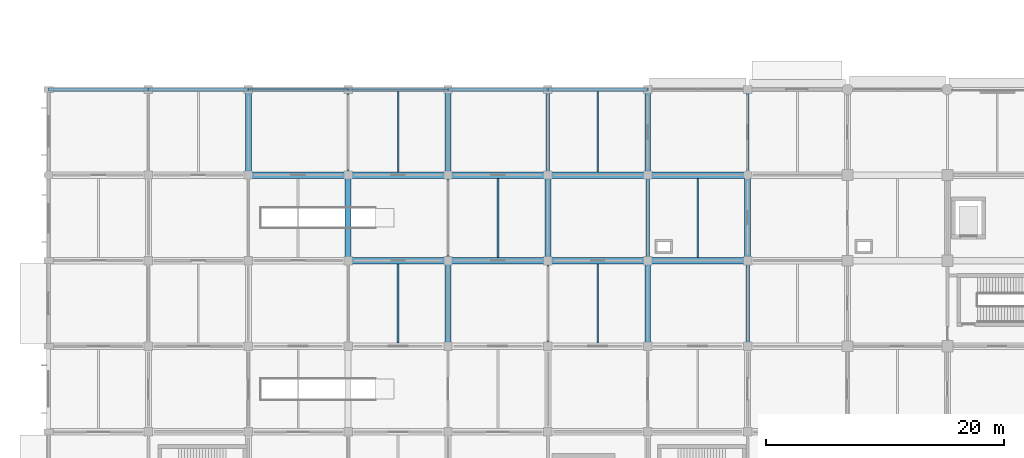
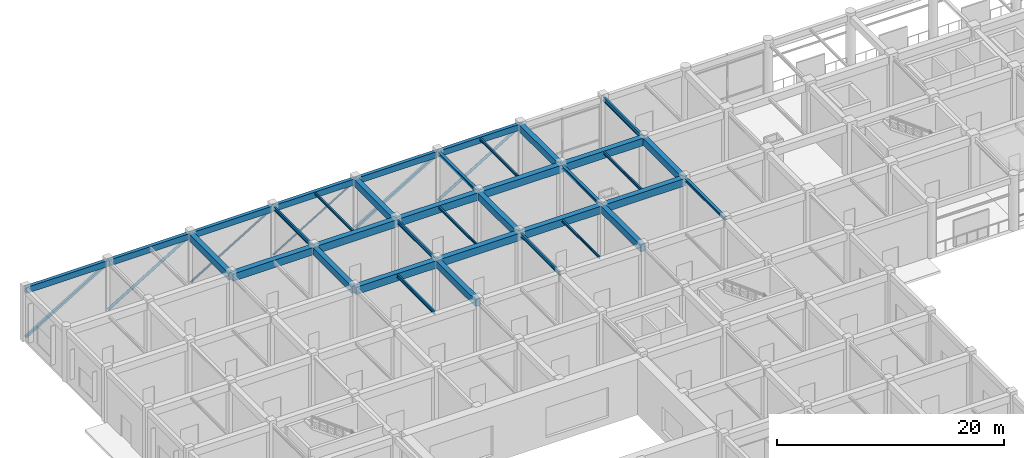
# One storey, part 5 of 39: 36 beams, 6 members.
"""IFC4 building model written with IfcOpenShell, lengths in metres."""

from ifc_helpers import new_model, si_unit, derived_unit, direction, frame, origin, origin_2d, place, context, subcontext, project, spatial, rectangle, hollow_rectangle, hollow_circle, i_section, extrude, material, material_profile, profile_set, type_object, element, save


model = new_model("IFC4")

# Units and contexts
model_context = context("Model", 3, precision=1e-05, world=origin(), true_north=direction((0.0, 1.0)))
body_context = subcontext(model_context, "Body", "Model", "MODEL_VIEW")
ifc_project = project(units=[si_unit("LENGTHUNIT", "METRE"), si_unit("AREAUNIT", "SQUARE_METRE"), si_unit("VOLUMEUNIT", "CUBIC_METRE"), si_unit("PLANEANGLEUNIT", "RADIAN"), si_unit("MASSUNIT", "GRAM", prefix="KILO"), derived_unit("THERMALTRANSMITTANCEUNIT", [(si_unit("MASSUNIT", "GRAM", prefix="KILO"), 1), (si_unit("TIMEUNIT", "SECOND"), -3), (si_unit("THERMODYNAMICTEMPERATUREUNIT", "KELVIN"), -1)])], contexts=[model_context])

# Site, building, storey
site_placement = place(None, origin())
site = spatial("IfcSite", under=ifc_project, at=site_placement, CompositionType="ELEMENT")
building_placement = place(site_placement, origin())
building = spatial("IfcBuilding", under=site, at=building_placement, Name="Veldstrom Oceanarium and Marine Research Institute", CompositionType="ELEMENT")
storey_placement = place(building_placement, origin())
storey = spatial("IfcBuildingStorey", under=building, at=storey_placement, Name="L00", CompositionType="ELEMENT", Elevation=0.0)

# Beams
ifc_material_1 = material(Name="Concrete C40/50", Category="concrete")
ifc_material_profile_1 = material_profile(ifc_material_1, rectangle(XDim=0.550048828125, YDim=0.800048828125, at=origin_2d()), Name="RC-BM-550x800")
ifc_profile_set_1 = profile_set([ifc_material_profile_1], Name="Concrete C40/50")
beam_type_1 = type_object("IfcBeamType", Name="STR-BM-B02", PredefinedType="BEAM", material=ifc_profile_set_1)
beam_1_placement = place(storey_placement, frame((16.800048828125, 64.800048828125, 5.27001953125), z_axis=(1.0, 0.0, 0.0), x_axis=(0.0, 1.0, 0.0)))
element("IfcBeam", 1, at=beam_1_placement, inside=storey, type_object=beam_type_1, Name="Primary Beam B02 L00-0744", PredefinedType="BEAM", context=body_context, shape_type="SweptSolid", body=[
    extrude(rectangle(XDim=0.550048828125, YDim=0.800048828125, at=origin_2d()), origin(), (0.0, 0.0, 1.0), 8.39990234375),
])
for number, where, z_axis, x_axis, name in (
    (2, (25.199951171875, 57.60009765625, 5.27001953125), (1.0, 0.0, 0.0), (0.0, 1.0, 0.0), "Primary Beam B02 L00-0752"),
    (3, (25.199951171875, 64.800048828125, 5.27001953125), (1.0, 0.0, 0.0), (0.0, 1.0, 0.0), "Primary Beam B02 L00-0753"),
):
    element("IfcBeam", number, at=place(storey_placement, frame(where, z_axis=z_axis, x_axis=x_axis)), inside=storey, type_object=beam_type_1, Name=name, PredefinedType="BEAM", context=body_context, shape_type="SweptSolid", body=[
        extrude(rectangle(XDim=0.550048828125, YDim=0.800048828125, at=origin_2d()), origin(), (0.0, 0.0, 1.0), 8.400146484375),
    ])
for number, where, z_axis, x_axis, name in (
    (4, (33.60009765625, 57.60009765625, 5.27001953125), (1.0, 0.0, 0.0), (0.0, 1.0, 0.0), "Primary Beam B02 L00-0761"),
    (5, (33.60009765625, 64.800048828125, 5.27001953125), (1.0, 0.0, 0.0), (0.0, 1.0, 0.0), "Primary Beam B02 L00-0762"),
    (6, (42.0, 57.60009765625, 5.27001953125), (1.0, 0.0, 0.0), (0.0, 1.0, 0.0), "Primary Beam B02 L00-0772"),
    (7, (42.0, 64.800048828125, 5.27001953125), (1.0, 0.0, 0.0), (0.0, 1.0, 0.0), "Primary Beam B02 L00-0773"),
):
    element("IfcBeam", number, at=place(storey_placement, frame(where, z_axis=z_axis, x_axis=x_axis)), inside=storey, type_object=beam_type_1, Name=name, PredefinedType="BEAM", context=body_context, shape_type="SweptSolid", body=[
        extrude(rectangle(XDim=0.550048828125, YDim=0.800048828125, at=origin_2d()), origin(), (0.0, 0.0, 1.0), 8.39990234375),
    ])
for number, where, z_axis, x_axis, name in (
    (8, (50.39990234375, 57.60009765625, 5.27001953125), (1.0, 0.0, 0.0), (0.0, 1.0, 0.0), "Primary Beam B02 L00-0783"),
    (9, (50.39990234375, 64.800048828125, 5.27001953125), (1.0, 0.0, 0.0), (0.0, 1.0, 0.0), "Primary Beam B02 L00-0784"),
):
    element("IfcBeam", number, at=place(storey_placement, frame(where, z_axis=z_axis, x_axis=x_axis)), inside=storey, type_object=beam_type_1, Name=name, PredefinedType="BEAM", context=body_context, shape_type="SweptSolid", body=[
        extrude(rectangle(XDim=0.550048828125, YDim=0.800048828125, at=origin_2d()), origin(), (0.0, 0.0, 1.0), 8.400146484375),
    ])
ifc_material_2 = material(Name="Concrete C40/50", Category="concrete")
ifc_material_profile_2 = material_profile(ifc_material_2, rectangle(XDim=0.5, YDim=0.75, at=origin_2d()), Name="RC-BM-500x750")
ifc_profile_set_2 = profile_set([ifc_material_profile_2], Name="Concrete C40/50")
beam_type_2 = type_object("IfcBeamType", Name="STR-BM-B03", PredefinedType="BEAM", material=ifc_profile_set_2)
for number, where, z_axis, x_axis, name in (
    (10, (16.800048828125, 64.800048828125, 5.294921875), (0.0, 1.0, 0.0), (-1.0, 0.0, 0.0), "Primary Beam B03 L00-0920"),
    (11, (25.199951171875, 57.60009765625, 5.294921875), (0.0, 1.0, 0.0), (-1.0, 0.0, 0.0), "Primary Beam B03 L00-0926"),
):
    element("IfcBeam", number, at=place(storey_placement, frame(where, z_axis=z_axis, x_axis=x_axis)), inside=storey, type_object=beam_type_2, Name=name, PredefinedType="BEAM", context=body_context, shape_type="SweptSolid", body=[
        extrude(rectangle(XDim=0.5, YDim=0.75, at=origin_2d()), origin(), (0.0, 0.0, 1.0), 7.199951171875),
    ])
beam_2_placement = place(storey_placement, frame((33.60009765625, 50.39990234375, 5.294921875), z_axis=(0.0, 1.0, 0.0), x_axis=(-1.0, 0.0, 0.0)))
element("IfcBeam", 12, at=beam_2_placement, inside=storey, type_object=beam_type_2, Name="Primary Beam B03 L00-0932", PredefinedType="BEAM", context=body_context, shape_type="SweptSolid", body=[
    extrude(rectangle(XDim=0.5, YDim=0.75, at=origin_2d()), origin(), (0.0, 0.0, 1.0), 7.2001953125),
])
for number, where, z_axis, x_axis, name in (
    (13, (33.60009765625, 64.800048828125, 5.294921875), (0.0, 1.0, 0.0), (-1.0, 0.0, 0.0), "Primary Beam B03 L00-0934"),
    (14, (42.0, 57.60009765625, 5.294921875), (0.0, 1.0, 0.0), (-1.0, 0.0, 0.0), "Primary Beam B03 L00-0943"),
):
    element("IfcBeam", number, at=place(storey_placement, frame(where, z_axis=z_axis, x_axis=x_axis)), inside=storey, type_object=beam_type_2, Name=name, PredefinedType="BEAM", context=body_context, shape_type="SweptSolid", body=[
        extrude(rectangle(XDim=0.5, YDim=0.75, at=origin_2d()), origin(), (0.0, 0.0, 1.0), 7.199951171875),
    ])
beam_3_placement = place(storey_placement, frame((50.39990234375, 50.39990234375, 5.294921875), z_axis=(0.0, 1.0, 0.0), x_axis=(-1.0, 0.0, 0.0)))
element("IfcBeam", 15, at=beam_3_placement, inside=storey, type_object=beam_type_2, Name="Primary Beam B03 L00-0952", PredefinedType="BEAM", context=body_context, shape_type="SweptSolid", body=[
    extrude(rectangle(XDim=0.5, YDim=0.75, at=origin_2d()), origin(), (0.0, 0.0, 1.0), 7.2001953125),
])
for number, where, z_axis, x_axis, name in (
    (16, (50.39990234375, 64.800048828125, 5.294921875), (0.0, 1.0, 0.0), (-1.0, 0.0, 0.0), "Primary Beam B03 L00-0954"),
    (17, (58.800048828125, 57.60009765625, 5.294921875), (0.0, 1.0, 0.0), (-1.0, 0.0, 0.0), "Primary Beam B03 L00-0963"),
):
    element("IfcBeam", number, at=place(storey_placement, frame(where, z_axis=z_axis, x_axis=x_axis)), inside=storey, type_object=beam_type_2, Name=name, PredefinedType="BEAM", context=body_context, shape_type="SweptSolid", body=[
        extrude(rectangle(XDim=0.5, YDim=0.75, at=origin_2d()), origin(), (0.0, 0.0, 1.0), 7.199951171875),
    ])
ifc_material_3 = material(Name="Steel S355JR", Category="steel")
ifc_material_profile_3 = material_profile(ifc_material_3, i_section(OverallWidth=0.300048828125, OverallDepth=0.2900390625, WebThickness=0.008544921875, FlangeThickness=0.013916015625, FilletRadius=0.027099609375, at=origin_2d()), Name="HEA 300")
ifc_profile_set_3 = profile_set([ifc_material_profile_3], Name="Steel S355JR")
beam_type_3 = type_object("IfcBeamType", Name="STR-BM-SB10", PredefinedType="BEAM", material=ifc_profile_set_3)
for number, where, z_axis, x_axis, name in (
    (18, (42.0, 64.800048828125, 5.52490234375), (0.0, 1.0, 0.0), (-1.0, 0.0, 0.0), "Steel Tie Beam SB10 L00-0944"),
    (19, (50.39990234375, 57.60009765625, 5.52490234375), (0.0, 1.0, 0.0), (-1.0, 0.0, 0.0), "Steel Tie Beam SB10 L00-0953"),
):
    element("IfcBeam", number, at=place(storey_placement, frame(where, z_axis=z_axis, x_axis=x_axis)), inside=storey, type_object=beam_type_3, Name=name, PredefinedType="BEAM", context=body_context, shape_type="SweptSolid", body=[
        extrude(i_section(OverallWidth=0.300048828125, OverallDepth=0.2900390625, WebThickness=0.008544921875, FlangeThickness=0.013916015625, FilletRadius=0.027099609375, at=origin_2d()), origin(), (0.0, 0.0, 1.0), 7.199951171875),
    ])
beam_4_placement = place(storey_placement, frame((58.800048828125, 50.39990234375, 5.52490234375), z_axis=(0.0, 1.0, 0.0), x_axis=(-1.0, 0.0, 0.0)))
element("IfcBeam", 20, at=beam_4_placement, inside=storey, type_object=beam_type_3, Name="Steel Tie Beam SB10 L00-0962", PredefinedType="BEAM", context=body_context, shape_type="SweptSolid", body=[
    extrude(i_section(OverallWidth=0.300048828125, OverallDepth=0.2900390625, WebThickness=0.008544921875, FlangeThickness=0.013916015625, FilletRadius=0.027099609375, at=origin_2d()), origin(), (0.0, 0.0, 1.0), 7.2001953125),
])
ifc_material_4 = material(Name="Steel S355JR", Category="steel")
ifc_material_profile_4 = material_profile(ifc_material_4, i_section(OverallWidth=0.199951171875, OverallDepth=0.5, WebThickness=0.01025390625, FlangeThickness=0.01611328125, FilletRadius=0.02099609375, at=origin_2d()), Name="IPE 500")
ifc_profile_set_4 = profile_set([ifc_material_profile_4], Name="Steel S355JR")
beam_type_4 = type_object("IfcBeamType", Name="STR-BM-SB6", PredefinedType="BEAM", material=ifc_profile_set_4)
beam_5_placement = place(storey_placement, frame((58.800048828125, 64.800048828125, 5.419921875), z_axis=(0.0, 1.0, 0.0), x_axis=(-1.0, 0.0, 0.0)))
element("IfcBeam", 21, at=beam_5_placement, inside=storey, type_object=beam_type_4, Name="Steel Tie Beam SB6 L00-0964", PredefinedType="BEAM", context=body_context, shape_type="SweptSolid", body=[
    extrude(i_section(OverallWidth=0.199951171875, OverallDepth=0.5, WebThickness=0.01025390625, FlangeThickness=0.01611328125, FilletRadius=0.02099609375, at=origin_2d()), origin(), (0.0, 0.0, 1.0), 7.199951171875),
])
ifc_material_5 = material(Name="Steel S355JR", Category="steel")
ifc_material_profile_5 = material_profile(ifc_material_5, i_section(OverallWidth=0.179931640625, OverallDepth=0.39990234375, WebThickness=0.008544921875, FlangeThickness=0.013427734375, FilletRadius=0.02099609375, at=origin_2d()), Name="IPE 400")
ifc_profile_set_5 = profile_set([ifc_material_profile_5], Name="Steel S355JR")
beam_type_5 = type_object("IfcBeamType", Name="STR-BM-SB8", PredefinedType="BEAM", material=ifc_profile_set_5)
for number, where, z_axis, x_axis, name in (
    (22, (25.199951171875, 64.800048828125, 5.469970703125), (0.0, 1.0, 0.0), (-1.0, 0.0, 0.0), "Steel Tie Beam SB8 L00-0927"),
    (23, (33.60009765625, 57.60009765625, 5.469970703125), (0.0, 1.0, 0.0), (-1.0, 0.0, 0.0), "Steel Tie Beam SB8 L00-0933"),
):
    element("IfcBeam", number, at=place(storey_placement, frame(where, z_axis=z_axis, x_axis=x_axis)), inside=storey, type_object=beam_type_5, Name=name, PredefinedType="BEAM", context=body_context, shape_type="SweptSolid", body=[
        extrude(i_section(OverallWidth=0.179931640625, OverallDepth=0.39990234375, WebThickness=0.008544921875, FlangeThickness=0.013427734375, FilletRadius=0.02099609375, at=origin_2d()), origin(), (0.0, 0.0, 1.0), 7.199951171875),
    ])
beam_6_placement = place(storey_placement, frame((42.0, 50.39990234375, 5.469970703125), z_axis=(0.0, 1.0, 0.0), x_axis=(-1.0, 0.0, 0.0)))
element("IfcBeam", 24, at=beam_6_placement, inside=storey, type_object=beam_type_5, Name="Steel Tie Beam SB8 L00-0942", PredefinedType="BEAM", context=body_context, shape_type="SweptSolid", body=[
    extrude(i_section(OverallWidth=0.179931640625, OverallDepth=0.39990234375, WebThickness=0.008544921875, FlangeThickness=0.013427734375, FilletRadius=0.02099609375, at=origin_2d()), origin(), (0.0, 0.0, 1.0), 7.2001953125),
])
ifc_material_6 = material(Name="Steel S355JR", Category="steel")
ifc_material_profile_6 = material_profile(ifc_material_6, i_section(OverallWidth=0.169921875, OverallDepth=0.360107421875, WebThickness=0.008056640625, FlangeThickness=0.0126953125, FilletRadius=0.01806640625, at=origin_2d()), Name="IPE 360")
ifc_profile_set_6 = profile_set([ifc_material_profile_6], Name="Steel S355JR")
beam_type_6 = type_object("IfcBeamType", Name="STR-JST-SJ1", PredefinedType="JOIST", material=ifc_profile_set_6)
beam_7_placement = place(storey_placement, frame((29.39990234375, 50.675048828125, 5.489990234375), z_axis=(0.0, 1.0, 0.0), x_axis=(-1.0, 0.0, 0.0)))
element("IfcBeam", 25, at=beam_7_placement, inside=storey, type_object=beam_type_6, Name="Secondary Joist SJ1 L00-1077", PredefinedType="JOIST", context=body_context, shape_type="SweptSolid", body=[
    extrude(i_section(OverallWidth=0.169921875, OverallDepth=0.360107421875, WebThickness=0.008056640625, FlangeThickness=0.0126953125, FilletRadius=0.01806640625, at=origin_2d()), origin(), (0.0, 0.0, 1.0), 6.64990234375),
])
ifc_material_7 = material(Name="Steel S355JR", Category="steel")
ifc_material_profile_7 = material_profile(ifc_material_7, i_section(OverallWidth=0.14990234375, OverallDepth=0.300048828125, WebThickness=0.007080078125, FlangeThickness=0.0107421875, FilletRadius=0.014892578125, at=origin_2d()), Name="IPE 300")
ifc_profile_set_7 = profile_set([ifc_material_profile_7], Name="Steel S355JR")
beam_type_7 = type_object("IfcBeamType", Name="STR-JST-SJ2", PredefinedType="JOIST", material=ifc_profile_set_7)
beam_8_placement = place(storey_placement, frame((46.199951171875, 65.074951171875, 5.52001953125), z_axis=(0.0, 1.0, 0.0), x_axis=(-1.0, 0.0, 0.0)))
element("IfcBeam", 26, at=beam_8_placement, inside=storey, type_object=beam_type_7, Name="Secondary Joist SJ2 L00-1085", PredefinedType="JOIST", context=body_context, shape_type="SweptSolid", body=[
    extrude(i_section(OverallWidth=0.14990234375, OverallDepth=0.300048828125, WebThickness=0.007080078125, FlangeThickness=0.0107421875, FilletRadius=0.014892578125, at=origin_2d()), origin(), (0.0, 0.0, 1.0), 6.75),
])
beam_9_placement = place(storey_placement, frame((54.60009765625, 57.875, 5.52001953125), z_axis=(0.0, 1.0, 0.0), x_axis=(-1.0, 0.0, 0.0)))
element("IfcBeam", 27, at=beam_9_placement, inside=storey, type_object=beam_type_7, Name="Secondary Joist SJ2 L00-1090", PredefinedType="JOIST", context=body_context, shape_type="SweptSolid", body=[
    extrude(i_section(OverallWidth=0.14990234375, OverallDepth=0.300048828125, WebThickness=0.007080078125, FlangeThickness=0.0107421875, FilletRadius=0.014892578125, at=origin_2d()), origin(), (0.0, 0.0, 1.0), 6.64990234375),
])
ifc_material_8 = material(Name="Steel S355JR", Category="steel")
ifc_material_profile_8 = material_profile(ifc_material_8, i_section(OverallWidth=0.135009765625, OverallDepth=0.27001953125, WebThickness=0.006591796875, FlangeThickness=0.01025390625, FilletRadius=0.014892578125, at=origin_2d()), Name="IPE 270")
ifc_profile_set_8 = profile_set([ifc_material_profile_8], Name="Steel S355JR")
beam_type_8 = type_object("IfcBeamType", Name="STR-JST-SJ3", PredefinedType="JOIST", material=ifc_profile_set_8)
beam_10_placement = place(storey_placement, frame((29.39990234375, 65.074951171875, 5.534912109375), z_axis=(0.0, 1.0, 0.0), x_axis=(-1.0, 0.0, 0.0)))
element("IfcBeam", 28, at=beam_10_placement, inside=storey, type_object=beam_type_8, Name="Secondary Joist SJ3 L00-1078", PredefinedType="JOIST", context=body_context, shape_type="SweptSolid", body=[
    extrude(i_section(OverallWidth=0.135009765625, OverallDepth=0.27001953125, WebThickness=0.006591796875, FlangeThickness=0.01025390625, FilletRadius=0.014892578125, at=origin_2d()), origin(), (0.0, 0.0, 1.0), 6.75),
])
for number, where, z_axis, x_axis, name in (
    (29, (37.800048828125, 57.875, 5.534912109375), (0.0, 1.0, 0.0), (-1.0, 0.0, 0.0), "Secondary Joist SJ3 L00-1081"),
    (30, (46.199951171875, 50.675048828125, 5.534912109375), (0.0, 1.0, 0.0), (-1.0, 0.0, 0.0), "Secondary Joist SJ3 L00-1084"),
):
    element("IfcBeam", number, at=place(storey_placement, frame(where, z_axis=z_axis, x_axis=x_axis)), inside=storey, type_object=beam_type_8, Name=name, PredefinedType="JOIST", context=body_context, shape_type="SweptSolid", body=[
        extrude(i_section(OverallWidth=0.135009765625, OverallDepth=0.27001953125, WebThickness=0.006591796875, FlangeThickness=0.01025390625, FilletRadius=0.014892578125, at=origin_2d()), origin(), (0.0, 0.0, 1.0), 6.64990234375),
    ])

# Members
ifc_material_9 = material(Name="Steel S355JR", Category="steel")
ifc_material_profile_9 = material_profile(ifc_material_9, hollow_circle(Radius=0.109619140625, WallThickness=0.012451171875, at=origin_2d()), Name="CHS 219.1x12.5")
ifc_profile_set_9 = profile_set([ifc_material_profile_9], Name="Steel S355JR")
member_type_1 = type_object("IfcMemberType", Name="STR-MEM-BR1", PredefinedType="BRACE", material=ifc_profile_set_9)
member_1_placement = place(storey_placement, frame((16.800048828125, 72.0, 0.25), z_axis=(0.855915083166, 0.0, 0.517116399284), x_axis=(0.0, 1.0, 0.0)))
element("IfcMember", 31, at=member_1_placement, inside=storey, type_object=member_type_1, Name="Party-Wall Lateral Brace LB-L00-0598", PredefinedType="BRACE", context=body_context, shape_type="SweptSolid", body=[
    extrude(hollow_circle(Radius=0.109619140625, WallThickness=0.012451171875, at=origin_2d()), origin(), (0.0, 0.0, 1.0), 9.81396484375),
])
ifc_material_10 = material(Name="Steel S355JR", Category="steel")
ifc_material_profile_10 = material_profile(ifc_material_10, hollow_circle(Radius=0.096923828125, WallThickness=0.010009765625, at=origin_2d()), Name="CHS 193.7x10")
ifc_profile_set_10 = profile_set([ifc_material_profile_10], Name="Steel S355JR")
member_type_2 = type_object("IfcMemberType", Name="STR-MEM-BR2", PredefinedType="BRACE", material=ifc_profile_set_10)
member_2_placement = place(storey_placement, frame((25.199951171875, 72.0, 0.25), z_axis=(0.855921735273, 0.0, 0.517105388762), x_axis=(0.0, 1.0, 0.0)))
element("IfcMember", 32, at=member_2_placement, inside=storey, type_object=member_type_2, Name="Party-Wall Lateral Brace LB-L00-0599", PredefinedType="BRACE", context=body_context, shape_type="SweptSolid", body=[
    extrude(hollow_circle(Radius=0.096923828125, WallThickness=0.010009765625, at=origin_2d()), origin(), (0.0, 0.0, 1.0), 9.814208984375),
])
ifc_material_11 = material(Name="Steel S355JR", Category="steel")
ifc_material_profile_11 = material_profile(ifc_material_11, hollow_rectangle(XDim=0.25, YDim=0.25, WallThickness=0.012451171875, at=origin_2d()), Name="SHS 250x250x12.5")
ifc_profile_set_11 = profile_set([ifc_material_profile_11], Name="Steel S355JR")
member_type_3 = type_object("IfcMemberType", Name="STR-MEM-CH1", PredefinedType="CHORD", material=ifc_profile_set_11)
for number, where, z_axis, x_axis, name in (
    (33, (0.0, 72.0, 0.25), (0.855915083166, 0.0, 0.517116399284), (0.0, 1.0, 0.0), "Party-Wall Lateral Brace LB-L00-0596"),
    (34, (33.60009765625, 72.0, 0.25), (0.855915083166, 0.0, 0.517116399284), (0.0, 1.0, 0.0), "Party-Wall Lateral Brace LB-L00-0600"),
):
    element("IfcMember", number, at=place(storey_placement, frame(where, z_axis=z_axis, x_axis=x_axis)), inside=storey, type_object=member_type_3, Name=name, PredefinedType="CHORD", context=body_context, shape_type="SweptSolid", body=[
        extrude(hollow_rectangle(XDim=0.25, YDim=0.25, WallThickness=0.012451171875, at=origin_2d()), origin(), (0.0, 0.0, 1.0), 9.81396484375),
    ])
ifc_material_12 = material(Name="Steel S355JR", Category="steel")
ifc_material_profile_12 = material_profile(ifc_material_12, hollow_circle(Radius=0.136474609375, WallThickness=0.012451171875, at=origin_2d()), Name="CHS 273x12.5")
ifc_profile_set_12 = profile_set([ifc_material_profile_12], Name="Steel S355JR")
member_type_4 = type_object("IfcMemberType", Name="STR-MEM-CH3", PredefinedType="CHORD", material=ifc_profile_set_12)
member_3_placement = place(storey_placement, frame((8.39990234375, 72.0, 0.25), z_axis=(0.855921735273, 0.0, 0.517105388762), x_axis=(0.0, 1.0, 0.0)))
element("IfcMember", 35, at=member_3_placement, inside=storey, type_object=member_type_4, Name="Party-Wall Lateral Brace LB-L00-0597", PredefinedType="CHORD", context=body_context, shape_type="SweptSolid", body=[
    extrude(hollow_circle(Radius=0.136474609375, WallThickness=0.012451171875, at=origin_2d()), origin(), (0.0, 0.0, 1.0), 9.814208984375),
])
member_4_placement = place(storey_placement, frame((42.0, 72.0, 0.25), z_axis=(0.855915083166, 0.0, 0.517116399284), x_axis=(0.0, 1.0, 0.0)))
element("IfcMember", 36, at=member_4_placement, inside=storey, type_object=member_type_4, Name="Party-Wall Lateral Brace LB-L00-0601", PredefinedType="CHORD", context=body_context, shape_type="SweptSolid", body=[
    extrude(hollow_circle(Radius=0.136474609375, WallThickness=0.012451171875, at=origin_2d()), origin(), (0.0, 0.0, 1.0), 9.81396484375),
])

# Beams
ifc_material_13 = material(Name="Concrete C40/50", Category="concrete")
ifc_material_profile_13 = material_profile(ifc_material_13, rectangle(XDim=0.35009765625, YDim=0.64990234375, at=origin_2d()), Name="RC-SPN-350x650")
ifc_profile_set_13 = profile_set([ifc_material_profile_13], Name="Concrete C40/50")
beam_type_9 = type_object("IfcBeamType", Name="STR-SPN-SP1", PredefinedType="SPANDREL", material=ifc_profile_set_13)
beam_11_placement = place(storey_placement, frame((0.0, 72.0, 5.344970703125), z_axis=(1.0, 0.0, 0.0), x_axis=(0.0, 1.0, 0.0)))
element("IfcBeam", 37, at=beam_11_placement, inside=storey, type_object=beam_type_9, Name="Perimeter Spandrel SPB1 L00-0725", PredefinedType="SPANDREL", context=body_context, shape_type="SweptSolid", body=[
    extrude(rectangle(XDim=0.35009765625, YDim=0.64990234375, at=origin_2d()), origin(), (0.0, 0.0, 1.0), 8.39990234375),
])
beam_12_placement = place(storey_placement, frame((8.39990234375, 72.0, 5.344970703125), z_axis=(1.0, 0.0, 0.0), x_axis=(0.0, 1.0, 0.0)))
element("IfcBeam", 38, at=beam_12_placement, inside=storey, type_object=beam_type_9, Name="Perimeter Spandrel SPB1 L00-0736", PredefinedType="SPANDREL", context=body_context, shape_type="SweptSolid", body=[
    extrude(rectangle(XDim=0.35009765625, YDim=0.64990234375, at=origin_2d()), origin(), (0.0, 0.0, 1.0), 8.400146484375),
])
beam_13_placement = place(storey_placement, frame((16.800048828125, 72.0, 5.344970703125), z_axis=(1.0, 0.0, 0.0), x_axis=(0.0, 1.0, 0.0)))
element("IfcBeam", 39, at=beam_13_placement, inside=storey, type_object=beam_type_9, Name="Perimeter Spandrel SPB1 L00-0745", PredefinedType="SPANDREL", context=body_context, shape_type="SweptSolid", body=[
    extrude(rectangle(XDim=0.35009765625, YDim=0.64990234375, at=origin_2d()), origin(), (0.0, 0.0, 1.0), 8.39990234375),
])
beam_14_placement = place(storey_placement, frame((25.199951171875, 72.0, 5.344970703125), z_axis=(1.0, 0.0, 0.0), x_axis=(0.0, 1.0, 0.0)))
element("IfcBeam", 40, at=beam_14_placement, inside=storey, type_object=beam_type_9, Name="Perimeter Spandrel SPB1 L00-0754", PredefinedType="SPANDREL", context=body_context, shape_type="SweptSolid", body=[
    extrude(rectangle(XDim=0.35009765625, YDim=0.64990234375, at=origin_2d()), origin(), (0.0, 0.0, 1.0), 8.400146484375),
])
for number, where, z_axis, x_axis, name in (
    (41, (33.60009765625, 72.0, 5.344970703125), (1.0, 0.0, 0.0), (0.0, 1.0, 0.0), "Perimeter Spandrel SPB1 L00-0763"),
    (42, (42.0, 72.0, 5.344970703125), (1.0, 0.0, 0.0), (0.0, 1.0, 0.0), "Perimeter Spandrel SPB1 L00-0774"),
):
    element("IfcBeam", number, at=place(storey_placement, frame(where, z_axis=z_axis, x_axis=x_axis)), inside=storey, type_object=beam_type_9, Name=name, PredefinedType="SPANDREL", context=body_context, shape_type="SweptSolid", body=[
        extrude(rectangle(XDim=0.35009765625, YDim=0.64990234375, at=origin_2d()), origin(), (0.0, 0.0, 1.0), 8.39990234375),
    ])

save(model, "model.ifc")
